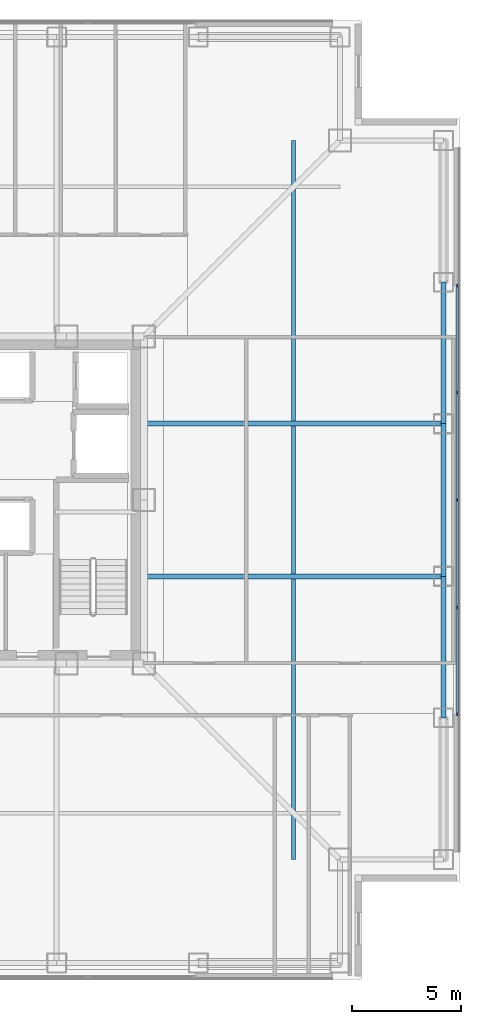
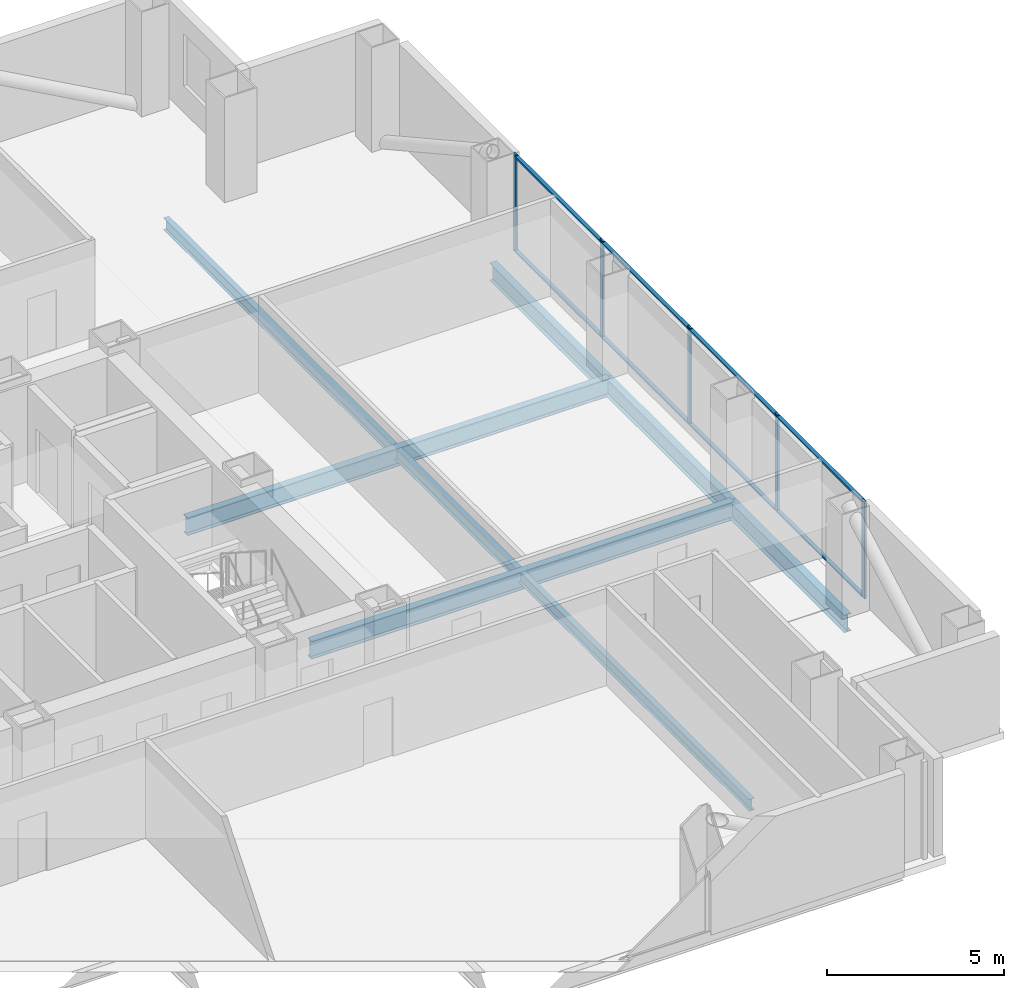
# One storey, part 7 of 16: 13 members, 6 beams, 1 element without a shape of its own.
"""IFC4 building model written with IfcOpenShell, lengths in metres."""

from ifc_helpers import new_model, si_unit, direction, frame, origin, origin_2d, place, context, subcontext, project, spatial, rectangle, i_section, extrude, material, layer, layer_set, material_profile, profile_set, type_object, element, aggregate, save


model = new_model("IFC4")

# Units and contexts
model_context = context("Model", 3, precision=1e-05, world=origin(), true_north=direction((0.0, 1.0)))
body_context = subcontext(model_context, "Body", "Model", "MODEL_VIEW")
ifc_project = project(units=[si_unit("LENGTHUNIT", "METRE"), si_unit("AREAUNIT", "SQUARE_METRE"), si_unit("VOLUMEUNIT", "CUBIC_METRE"), si_unit("PLANEANGLEUNIT", "RADIAN"), si_unit("MASSUNIT", "GRAM", prefix="KILO")], contexts=[model_context])

# Site, building, storey
site_placement = place(None, origin())
site = spatial("IfcSite", under=ifc_project, at=site_placement, CompositionType="ELEMENT")
building_placement = place(site_placement, origin())
building = spatial("IfcBuilding", under=site, at=building_placement, Name="Trevonay Congress Spire", CompositionType="ELEMENT")
storey_placement = place(building_placement, frame((0.0, 0.0, 101.199951171875)))
storey = spatial("IfcBuildingStorey", under=building, at=storey_placement, Name="L25", CompositionType="ELEMENT", Elevation=101.199951171875)

# Beams
ifc_material_1 = material(Name="Steel ASTM A572 Grade 50", Category="steel")
ifc_material_profile_1 = material_profile(ifc_material_1, i_section(OverallWidth=0.22998046875, OverallDepth=0.616943359375, WebThickness=0.01318359375, FlangeThickness=0.022216796875, FilletRadius=0.01611328125, at=origin_2d()), Name="W610x140")
ifc_profile_set_1 = profile_set([ifc_material_profile_1], Name="Steel ASTM A572 Grade 50")
beam_type_1 = type_object("IfcBeamType", Name="BM-GIRD-W610X140", PredefinedType="BEAM", material=ifc_profile_set_1)
for number, where, z_axis, x_axis, name in (
    (1, (7.5, -3.5, -0.54833984375), (1.0, 0.0, 0.0), (0.0, 1.0, 0.0), "L25 structural beam BM-L25-GE-M"),
    (2, (7.5, 3.5, -0.54833984375), (1.0, 0.0, 0.0), (0.0, 1.0, 0.0), "L25 structural beam BM-L25-GE-P"),
):
    element("IfcBeam", number, at=place(storey_placement, frame(where, z_axis=z_axis, x_axis=x_axis)), inside=storey, type_object=beam_type_1, Name=name, PredefinedType="BEAM", context=body_context, shape_type="SweptSolid", body=[
        extrude(i_section(OverallWidth=0.22998046875, OverallDepth=0.616943359375, WebThickness=0.01318359375, FlangeThickness=0.022216796875, FilletRadius=0.01611328125, at=origin_2d()), origin(), (0.0, 0.0, 1.0), 13.75),
    ])
ifc_material_profile_2 = material_profile(ifc_material_1, i_section(OverallWidth=0.22802734375, OverallDepth=0.60791015625, WebThickness=0.01123046875, FlangeThickness=0.017333984375, FilletRadius=0.01611328125, at=origin_2d()), Name="W610x113")
ifc_profile_set_2 = profile_set([ifc_material_profile_2], Name="Steel ASTM A572 Grade 50")
beam_type_2 = type_object("IfcBeamType", Name="BM-RING-W610X113", PredefinedType="BEAM", material=ifc_profile_set_2)
beam_1_placement = place(storey_placement, frame((21.25, -10.0, -0.5439453125), z_axis=(0.0, 1.0, 0.0), x_axis=(-1.0, 0.0, 0.0)))
element("IfcBeam", 3, at=beam_1_placement, inside=storey, type_object=beam_type_2, Name="L25 structural beam BM-L25-PE2", PredefinedType="BEAM", context=body_context, shape_type="SweptSolid", body=[
    extrude(i_section(OverallWidth=0.22802734375, OverallDepth=0.60791015625, WebThickness=0.01123046875, FlangeThickness=0.017333984375, FilletRadius=0.01611328125, at=origin_2d()), origin(), (0.0, 0.0, 1.0), 6.5),
])
beam_2_placement = place(storey_placement, frame((21.25, -3.5, -0.5439453125), z_axis=(0.0, 1.0, 0.0), x_axis=(-1.0, 0.0, 0.0)))
element("IfcBeam", 4, at=beam_2_placement, inside=storey, type_object=beam_type_2, Name="L25 structural beam BM-L25-PE3", PredefinedType="BEAM", context=body_context, shape_type="SweptSolid", body=[
    extrude(i_section(OverallWidth=0.22802734375, OverallDepth=0.60791015625, WebThickness=0.01123046875, FlangeThickness=0.017333984375, FilletRadius=0.01611328125, at=origin_2d()), origin(), (0.0, 0.0, 1.0), 7.0),
])
beam_3_placement = place(storey_placement, frame((21.25, 3.5, -0.5439453125), z_axis=(0.0, 1.0, 0.0), x_axis=(-1.0, 0.0, 0.0)))
element("IfcBeam", 5, at=beam_3_placement, inside=storey, type_object=beam_type_2, Name="L25 structural beam BM-L25-PE4", PredefinedType="BEAM", context=body_context, shape_type="SweptSolid", body=[
    extrude(i_section(OverallWidth=0.22802734375, OverallDepth=0.60791015625, WebThickness=0.01123046875, FlangeThickness=0.017333984375, FilletRadius=0.01611328125, at=origin_2d()), origin(), (0.0, 0.0, 1.0), 6.5),
])

# Curtain wall, members
ifc_material_2 = material(Name="Pale Anodised Aluminium EN AW-6063-T6", Category="aluminium")
ifc_layer = layer(ifc_material_2, 0.175048828125, Name="Pale Anodised Aluminium EN AW-6063-T6")
ifc_layer_set = layer_set([ifc_layer], Name="Pale Anodised Aluminium EN AW-6063-T6")
curtain_wall_type = type_object("IfcCurtainWallType", Name="CW-SYS03-CONGRESS-PALE-METAL", PredefinedType="NOTDEFINED", material=ifc_layer_set)
curtain_wall_placement = place(storey_placement, origin())
curtain_wall = element("IfcCurtainWall", 6, at=curtain_wall_placement, inside=storey, type_object=curtain_wall_type, Name="L25 E unitised curtain wall", PredefinedType="NOTDEFINED")
ifc_material_profile_3 = material_profile(ifc_material_2, rectangle(XDim=0.06005859375, YDim=0.159912109375, at=origin_2d()), Name="CW-MULLION-160-ALUMINIUM")
ifc_profile_set_3 = profile_set([ifc_material_profile_3], Name="Pale Anodised Aluminium EN AW-6063-T6")
member_type_1 = type_object("IfcMemberType", Name="CW-MULLION-160-ALUMINIUM", PredefinedType="MULLION", material=ifc_profile_set_3)
member_1_placement = place(storey_placement, frame((21.8798828125, -9.820068359375, 0.0), z_axis=(0.0, 0.0, 1.0), x_axis=(-1.0, 0.0, 0.0)))
member_1 = element("IfcMember", 7, at=member_1_placement, type_object=member_type_1, Name="CW03 mullion 1", PredefinedType="MULLION", context=body_context, shape_type="SweptSolid", body=[
    extrude(rectangle(XDim=0.06005859375, YDim=0.159912109375, at=origin_2d()), origin(), (0.0, 0.0, 1.0), 3.360107421875),
])
member_2_placement = place(storey_placement, frame((21.8798828125, -4.925048828125, 0.0), z_axis=(0.0, 0.0, 1.0), x_axis=(-1.0, 0.0, 0.0)))
member_2 = element("IfcMember", 8, at=member_2_placement, type_object=member_type_1, Name="CW03 mullion 2", PredefinedType="MULLION", context=body_context, shape_type="SweptSolid", body=[
    extrude(rectangle(XDim=0.06005859375, YDim=0.159912109375, at=origin_2d()), origin(), (0.0, 0.0, 1.0), 3.360107421875),
])
member_3_placement = place(storey_placement, frame((21.8798828125, 0.0, 0.0), z_axis=(0.0, 0.0, 1.0), x_axis=(-1.0, 0.0, 0.0)))
member_3 = element("IfcMember", 9, at=member_3_placement, type_object=member_type_1, Name="CW03 mullion 3", PredefinedType="MULLION", context=body_context, shape_type="SweptSolid", body=[
    extrude(rectangle(XDim=0.06005859375, YDim=0.159912109375, at=origin_2d()), origin(), (0.0, 0.0, 1.0), 3.360107421875),
])
member_4_placement = place(storey_placement, frame((21.8798828125, 4.925048828125, 0.0), z_axis=(0.0, 0.0, 1.0), x_axis=(-1.0, 0.0, 0.0)))
member_4 = element("IfcMember", 10, at=member_4_placement, type_object=member_type_1, Name="CW03 mullion 4", PredefinedType="MULLION", context=body_context, shape_type="SweptSolid", body=[
    extrude(rectangle(XDim=0.06005859375, YDim=0.159912109375, at=origin_2d()), origin(), (0.0, 0.0, 1.0), 3.360107421875),
])
member_5_placement = place(storey_placement, frame((21.8798828125, 9.820068359375, 0.0), z_axis=(0.0, 0.0, 1.0), x_axis=(-1.0, 0.0, 0.0)))
member_5 = element("IfcMember", 11, at=member_5_placement, type_object=member_type_1, Name="CW03 mullion 5", PredefinedType="MULLION", context=body_context, shape_type="SweptSolid", body=[
    extrude(rectangle(XDim=0.06005859375, YDim=0.159912109375, at=origin_2d()), origin(), (0.0, 0.0, 1.0), 3.360107421875),
])
ifc_material_profile_4 = material_profile(ifc_material_2, rectangle(XDim=0.1201171875, YDim=0.06005859375, at=origin_2d()), Name="CW-TRANSOM-120-ALUMINIUM")
ifc_profile_set_4 = profile_set([ifc_material_profile_4], Name="Pale Anodised Aluminium EN AW-6063-T6")
member_type_2 = type_object("IfcMemberType", Name="CW-TRANSOM-120-ALUMINIUM", PredefinedType="USERDEFINED", material=ifc_profile_set_4)
member_6_placement = place(storey_placement, frame((21.8798828125, -9.7900390625, 0.06005859375), z_axis=(0.0, 1.0, 0.0), x_axis=(-1.0, 0.0, 0.0)))
member_6 = element("IfcMember", 12, at=member_6_placement, type_object=member_type_2, Name="CW03 transom 1.1", ObjectType="TRANSOM", PredefinedType="USERDEFINED", context=body_context, shape_type="SweptSolid", body=[
    extrude(rectangle(XDim=0.1201171875, YDim=0.06005859375, at=origin_2d()), origin(), (0.0, 0.0, 1.0), 4.8349609375),
])
member_7_placement = place(storey_placement, frame((21.8798828125, -9.7900390625, 3.300048828125), z_axis=(0.0, 1.0, 0.0), x_axis=(-1.0, 0.0, 0.0)))
member_7 = element("IfcMember", 13, at=member_7_placement, type_object=member_type_2, Name="CW03 transom 1.2", ObjectType="TRANSOM", PredefinedType="USERDEFINED", context=body_context, shape_type="SweptSolid", body=[
    extrude(rectangle(XDim=0.1201171875, YDim=0.06005859375, at=origin_2d()), origin(), (0.0, 0.0, 1.0), 4.8349609375),
])
member_8_placement = place(storey_placement, frame((21.8798828125, -4.89501953125, 0.06005859375), z_axis=(0.0, 1.0, 0.0), x_axis=(-1.0, 0.0, 0.0)))
member_8 = element("IfcMember", 14, at=member_8_placement, type_object=member_type_2, Name="CW03 transom 2.1", ObjectType="TRANSOM", PredefinedType="USERDEFINED", context=body_context, shape_type="SweptSolid", body=[
    extrude(rectangle(XDim=0.1201171875, YDim=0.06005859375, at=origin_2d()), origin(), (0.0, 0.0, 1.0), 4.864990234375),
])
member_9_placement = place(storey_placement, frame((21.8798828125, -4.89501953125, 3.300048828125), z_axis=(0.0, 1.0, 0.0), x_axis=(-1.0, 0.0, 0.0)))
member_9 = element("IfcMember", 15, at=member_9_placement, type_object=member_type_2, Name="CW03 transom 2.2", ObjectType="TRANSOM", PredefinedType="USERDEFINED", context=body_context, shape_type="SweptSolid", body=[
    extrude(rectangle(XDim=0.1201171875, YDim=0.06005859375, at=origin_2d()), origin(), (0.0, 0.0, 1.0), 4.864990234375),
])
member_10_placement = place(storey_placement, frame((21.8798828125, 0.030029296875, 0.06005859375), z_axis=(0.0, 1.0, 0.0), x_axis=(-1.0, 0.0, 0.0)))
member_10 = element("IfcMember", 16, at=member_10_placement, type_object=member_type_2, Name="CW03 transom 3.1", ObjectType="TRANSOM", PredefinedType="USERDEFINED", context=body_context, shape_type="SweptSolid", body=[
    extrude(rectangle(XDim=0.1201171875, YDim=0.06005859375, at=origin_2d()), origin(), (0.0, 0.0, 1.0), 4.864990234375),
])
member_11_placement = place(storey_placement, frame((21.8798828125, 0.030029296875, 3.300048828125), z_axis=(0.0, 1.0, 0.0), x_axis=(-1.0, 0.0, 0.0)))
member_11 = element("IfcMember", 17, at=member_11_placement, type_object=member_type_2, Name="CW03 transom 3.2", ObjectType="TRANSOM", PredefinedType="USERDEFINED", context=body_context, shape_type="SweptSolid", body=[
    extrude(rectangle(XDim=0.1201171875, YDim=0.06005859375, at=origin_2d()), origin(), (0.0, 0.0, 1.0), 4.864990234375),
])
member_12_placement = place(storey_placement, frame((21.8798828125, 4.955078125, 0.06005859375), z_axis=(0.0, 1.0, 0.0), x_axis=(-1.0, 0.0, 0.0)))
member_12 = element("IfcMember", 18, at=member_12_placement, type_object=member_type_2, Name="CW03 transom 4.1", ObjectType="TRANSOM", PredefinedType="USERDEFINED", context=body_context, shape_type="SweptSolid", body=[
    extrude(rectangle(XDim=0.1201171875, YDim=0.06005859375, at=origin_2d()), origin(), (0.0, 0.0, 1.0), 4.8349609375),
])
member_13_placement = place(storey_placement, frame((21.8798828125, 4.955078125, 3.300048828125), z_axis=(0.0, 1.0, 0.0), x_axis=(-1.0, 0.0, 0.0)))
member_13 = element("IfcMember", 19, at=member_13_placement, type_object=member_type_2, Name="CW03 transom 4.2", ObjectType="TRANSOM", PredefinedType="USERDEFINED", context=body_context, shape_type="SweptSolid", body=[
    extrude(rectangle(XDim=0.1201171875, YDim=0.06005859375, at=origin_2d()), origin(), (0.0, 0.0, 1.0), 4.8349609375),
])
aggregate(curtain_wall, [member_1, member_2, member_3, member_4, member_5, member_6, member_7, member_8, member_9, member_10, member_11, member_12, member_13])

# Beam
ifc_material_profile_5 = material_profile(ifc_material_1, i_section(OverallWidth=0.177978515625, OverallDepth=0.406982421875, WebThickness=0.0078125, FlangeThickness=0.0126953125, FilletRadius=0.012939453125, at=origin_2d()), Name="W410x60")
ifc_profile_set_5 = profile_set([ifc_material_profile_5], Name="Steel ASTM A572 Grade 50")
beam_type_3 = type_object("IfcBeamType", Name="JS-COMP-W410X60", PredefinedType="JOIST", material=ifc_profile_set_5)
beam_4_placement = place(storey_placement, frame((14.375, -16.5, -0.443359375), z_axis=(0.0, 1.0, 0.0), x_axis=(-1.0, 0.0, 0.0)))
element("IfcBeam", 20, at=beam_4_placement, inside=storey, type_object=beam_type_3, Name="L25 structural beam JS-L25-RING-E", PredefinedType="JOIST", context=body_context, shape_type="SweptSolid", body=[
    extrude(i_section(OverallWidth=0.177978515625, OverallDepth=0.406982421875, WebThickness=0.0078125, FlangeThickness=0.0126953125, FilletRadius=0.012939453125, at=origin_2d()), origin(), (0.0, 0.0, 1.0), 33.0),
])

save(model, "model.ifc")
